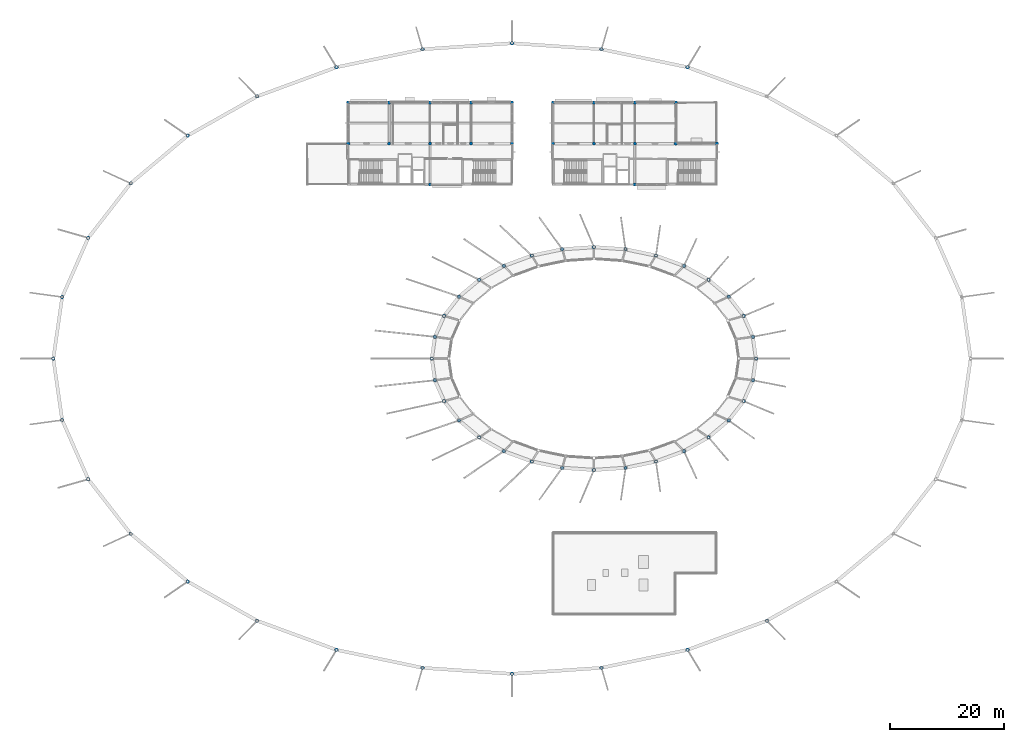
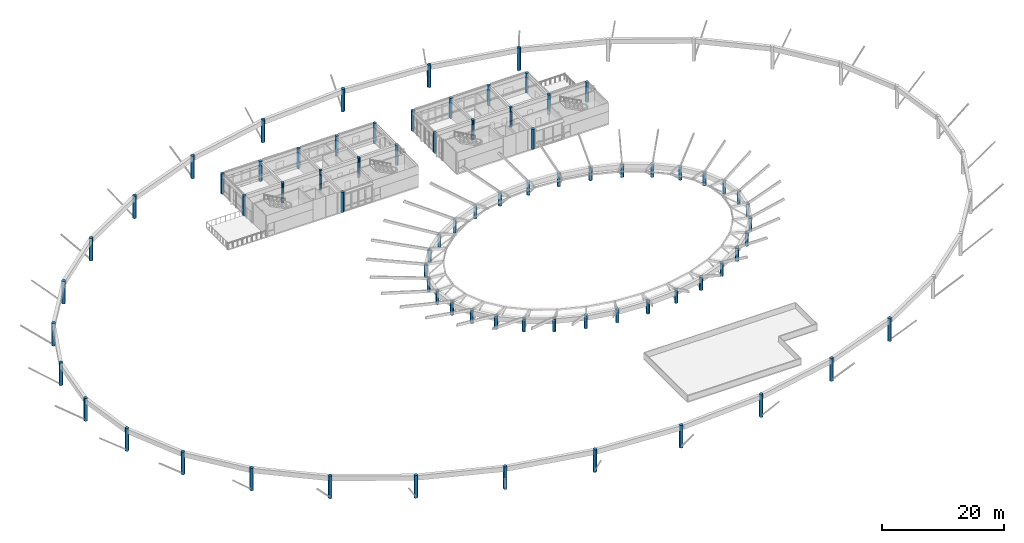
# One storey, part 1 of 37: 75 columns.
"""IFC4 building model written with IfcOpenShell, lengths in metres."""

import ifcopenshell
import ifcopenshell.guid

model = None  # the IFC model being written
_history = None  # IfcOwnerHistory: only IFC2X3 demands one
_inside = {}  # id of a spatial element -> (the spatial element, [elements in it])
_under = {}  # id of a project, library or spatial element -> (it, [spatial elements below it])
_declared = {}  # id of a project -> (the project, [libraries it declares])
_typed = {}  # id of a type object -> (the type object, [elements of that type])
_made_of = {}  # id of a material, layer set ... -> (it, [elements and type objects made of it])


def new_model(schema):
    """Start an empty IFC model of exactly this schema.

    Asked for "IFC4X3", IfcOpenShell would pick the latest addendum, in which some entities
    have other attributes; the version numbers below select the first issue.
    IFC2X3 requires an IfcOwnerHistory on every rooted entity: one is made here for all.
    """
    global model, _history
    if schema == "IFC4X3":
        model = ifcopenshell.file(schema_version=(4, 3, 0, 0))
    else:
        model = ifcopenshell.file(schema=schema)
    _inside.clear()
    _under.clear()
    _declared.clear()
    _typed.clear()
    _made_of.clear()
    _history = None
    if model.schema == "IFC2X3":
        org = make("IfcOrganization", Name="unknown")
        user = make(
            "IfcPersonAndOrganization",
            ThePerson=make("IfcPerson", FamilyName="unknown"),
            TheOrganization=org,
        )
        app = make(
            "IfcApplication",
            ApplicationDeveloper=org,
            Version="unknown",
            ApplicationFullName="unknown",
            ApplicationIdentifier="unknown",
        )
        _history = make(
            "IfcOwnerHistory",
            OwningUser=user,
            OwningApplication=app,
            ChangeAction="ADDED",
            CreationDate=0,
        )
    return model


def make(cls, **values):
    """One entity of the class cls with the attributes given. An attribute that is None is left unset."""
    return model.create_entity(
        cls, **{name: value for name, value in values.items() if value is not None}
    )


def rooted(cls, **values):
    """An entity with a GlobalId (a new one), such as an element, a storey or a relation."""
    return make(cls, GlobalId=ifcopenshell.guid.new(), OwnerHistory=_history, **values)


def si_unit(unit_type, name, prefix=None):
    """IfcSIUnit, for example si_unit("LENGTHUNIT", "METRE", prefix="MILLI")."""
    return make("IfcSIUnit", UnitType=unit_type, Prefix=prefix, Name=name)


def assignment(units):
    """IfcUnitAssignment: the units of a project."""
    return None if units is None else make("IfcUnitAssignment", Units=units)


def point(xyz):
    """IfcCartesianPoint."""
    return None if xyz is None else make("IfcCartesianPoint", Coordinates=xyz)


def direction(xyz):
    """IfcDirection."""
    return None if xyz is None else make("IfcDirection", DirectionRatios=xyz)


def frame(location, z_axis=None, x_axis=None):
    """IfcAxis2Placement3D, a coordinate frame: its origin and axes. An axis left out is left unset."""
    return make(
        "IfcAxis2Placement3D",
        Location=point(location),
        Axis=direction(z_axis),
        RefDirection=direction(x_axis),
    )


def frame_2d(location, x_axis=None):
    """IfcAxis2Placement2D, a coordinate frame in the plane: its origin and x axis."""
    return make(
        "IfcAxis2Placement2D", Location=point(location), RefDirection=direction(x_axis)
    )


def origin():
    """The frame at (0, 0, 0) with its axes left unset."""
    return frame((0.0, 0.0, 0.0))


def origin_2d():
    """The frame at (0, 0) in the plane with its x axis left unset."""
    return frame_2d((0.0, 0.0))


def place(relative_to, where):
    """IfcLocalPlacement: puts the frame where relative to a parent placement (None: the world)."""
    return make(
        "IfcLocalPlacement", PlacementRelTo=relative_to, RelativePlacement=where
    )


def context(
    kind, dimensions, precision=None, world=None, true_north=None, identifier=None
):
    """IfcGeometricRepresentationContext, for example the 3D "Model" context."""
    return make(
        "IfcGeometricRepresentationContext",
        ContextIdentifier=identifier,
        ContextType=kind,
        CoordinateSpaceDimension=dimensions,
        Precision=precision,
        WorldCoordinateSystem=world,
        TrueNorth=true_north,
    )


def subcontext(parent, identifier, kind, view, scale=None):
    """IfcGeometricRepresentationSubContext, for example "Body" below "Model"."""
    return make(
        "IfcGeometricRepresentationSubContext",
        ContextIdentifier=identifier,
        ContextType=kind,
        ParentContext=parent,
        TargetScale=scale,
        TargetView=view,
    )


def project(units=None, contexts=None):
    """IfcProject with its units and contexts."""
    return rooted(
        "IfcProject",
        Name="project",
        RepresentationContexts=contexts,
        UnitsInContext=assignment(units),
    )


def spatial(cls, under=None, at=None, **own):
    """A site, building, storey or space (cls), placed at a placement, below another one or the project."""
    s = rooted(cls, ObjectPlacement=at, **own)
    if under is not None:
        _under.setdefault(under.id(), (under, []))[1].append(s)
    return s


def profile(cls, at=None, kind="AREA", **sizes):
    """A parametric profile (cls). Its sizes go by their IFC names, for example OverallWidth=200.0."""
    return make(cls, ProfileType=kind, Position=at, **sizes)


def circle(**sizes):
    """IfcCircleProfileDef."""
    return profile("IfcCircleProfileDef", **sizes)


def extrude(swept, where, along, depth):
    """IfcExtrudedAreaSolid: the profile swept, set in the frame where, extruded along a direction by depth."""
    return make(
        "IfcExtrudedAreaSolid",
        SweptArea=swept,
        Position=where,
        ExtrudedDirection=direction(along),
        Depth=depth,
    )


def shape(context_of_items, identifier, shape_type, items):
    """IfcShapeRepresentation: the items that make up one representation, for example the "Body"."""
    return make(
        "IfcShapeRepresentation",
        ContextOfItems=context_of_items,
        RepresentationIdentifier=identifier,
        RepresentationType=shape_type,
        Items=items,
    )


def material(Name=None, Category=None):
    """IfcMaterial."""
    return make("IfcMaterial", Name=Name, Category=Category)


def material_profile(
    of_material, cross_section, Name=None, Category=None, Priority=None
):
    """IfcMaterialProfile: a cross section and its material."""
    return make(
        "IfcMaterialProfile",
        Name=Name,
        Material=of_material,
        Profile=cross_section,
        Priority=Priority,
        Category=Category,
    )


def profile_set(profiles, Name=None, composite=None):
    """IfcMaterialProfileSet."""
    return make(
        "IfcMaterialProfileSet",
        Name=Name,
        MaterialProfiles=profiles,
        CompositeProfile=composite,
    )


def made_of(thing, what):
    """Note that an element or type object is made of a material, layer set ...; save() writes the relation."""
    if what is not None:
        _made_of.setdefault(what.id(), (what, []))[1].append(thing)
    return thing


def type_object(cls, material=None, **own):
    """A type object (cls), such as IfcWallType, which elements share."""
    return made_of(rooted(cls, **own), material)


def element(
    cls,
    number,
    at=None,
    inside=None,
    cuts=None,
    type_object=None,
    material=None,
    context=None,
    identifier="Body",
    shape_type=None,
    held_by="IfcProductDefinitionShape",
    body=None,
    shapes=None,
    **own,
):
    """One element of the class cls, such as IfcWall. Its Tag is "e" and its number.

    at: its placement. inside: the storey or other place that contains it. cuts: it is an
    opening in that element (IfcRelVoidsElement). A single representation is given by context,
    identifier, shape_type and body (its items); several are given by shapes. held_by: the class
    of the entity that holds the representations. save() writes the other relations.
    """
    e = rooted(cls, Tag="e%d" % number, ObjectPlacement=at, **own)
    if body is not None:
        shapes = [shape(context, identifier, shape_type, body)]
    if shapes is not None:
        e.Representation = make(held_by, Representations=shapes)
    if inside is not None:
        _inside.setdefault(inside.id(), (inside, []))[1].append(e)
    if cuts is not None:
        rooted(
            "IfcRelVoidsElement", RelatingBuildingElement=cuts, RelatedOpeningElement=e
        )
    if type_object is not None:
        _typed.setdefault(type_object.id(), (type_object, []))[1].append(e)
    return made_of(e, material)


def aggregate(whole, parts):
    """IfcRelAggregates: a whole, such as a stair, and the parts it consists of."""
    return rooted("IfcRelAggregates", RelatingObject=whole, RelatedObjects=parts)


def save(model, path):
    """Write the relations noted so far, then the file.

    IfcRelAggregates (storeys below a building ...), IfcRelContainedInSpatialStructure (elements
    in a storey), IfcRelDefinesByType, IfcRelAssociatesMaterial and IfcRelDeclares: one each for
    every whole, place, type object, material and project.
    """
    for whole, parts in _under.values():
        aggregate(whole, parts)
    for where, things in _inside.values():
        rooted(
            "IfcRelContainedInSpatialStructure",
            RelatedElements=things,
            RelatingStructure=where,
        )
    for kind, things in _typed.values():
        rooted("IfcRelDefinesByType", RelatedObjects=things, RelatingType=kind)
    for what, things in _made_of.values():
        rooted("IfcRelAssociatesMaterial", RelatedObjects=things, RelatingMaterial=what)
    for by, libraries in _declared.values():
        rooted("IfcRelDeclares", RelatingContext=by, RelatedDefinitions=libraries)
    model.write(path)


model = new_model("IFC4")

# Units and contexts
model_context = context("Model", 3, precision=1e-05, world=origin(), true_north=direction((0.0, 1.0)))
body_context = subcontext(model_context, "Body", "Model", "MODEL_VIEW")
ifc_project = project(units=[si_unit("LENGTHUNIT", "METRE"), si_unit("AREAUNIT", "SQUARE_METRE"), si_unit("VOLUMEUNIT", "CUBIC_METRE"), si_unit("PLANEANGLEUNIT", "RADIAN"), si_unit("MASSUNIT", "GRAM", prefix="KILO")], contexts=[model_context])

# Site, building, storey
site_placement = place(None, origin())
site = spatial("IfcSite", under=ifc_project, at=site_placement, CompositionType="ELEMENT")
building_placement = place(site_placement, origin())
building = spatial("IfcBuilding", under=site, at=building_placement, Name="Namkhue Oval Health Centre", CompositionType="ELEMENT")
storey_placement = place(building_placement, frame((0.0, 0.0, 22.199951171875)))
storey = spatial("IfcBuildingStorey", under=building, at=storey_placement, Name="L05", CompositionType="ELEMENT", Elevation=22.199951171875)

# Columns
ifc_material = material(Name="Reinforced concrete C35/45 (TCVN B40)", Category="concrete")
ifc_material_profile_1 = material_profile(ifc_material, circle(Radius=0.27490234375, at=origin_2d()), Name="RC D550")
ifc_profile_set_1 = profile_set([ifc_material_profile_1], Name="Reinforced concrete C35/45 (TCVN B40)")
column_type_1 = type_object("IfcColumnType", Name="RC COLUMN D550 INT", PredefinedType="COLUMN", material=ifc_profile_set_1)
for number, where, z_axis, x_axis, name in (
    (1, (64.800048828125, 97.199951171875, 0.0), (0.0, 0.0, 1.0), (1.0, 0.0, 0.0), "Volume V2 L05 Column 10/O"),
    (2, (72.0, 97.199951171875, 0.0), (0.0, 0.0, 1.0), (1.0, 0.0, 0.0), "Volume V2 L05 Column 11/O"),
    (3, (79.199951171875, 97.199951171875, 0.0), (0.0, 0.0, 1.0), (1.0, 0.0, 0.0), "Volume V2 L05 Column 12/O"),
):
    element("IfcColumn", number, at=place(storey_placement, frame(where, z_axis=z_axis, x_axis=x_axis)), inside=storey, type_object=column_type_1, Name=name, PredefinedType="COLUMN", context=body_context, shape_type="SweptSolid", body=[
        extrude(circle(Radius=0.27490234375, at=origin_2d()), origin(), (0.0, 0.0, 1.0), 3.97509765625),
    ])
for number, where, z_axis, x_axis, name in (
    (4, (100.800048828125, 97.199951171875, 0.0), (0.0, 0.0, 1.0), (1.0, 0.0, 0.0), "Volume V3 L05 Column 15/O"),
    (5, (108.0, 97.199951171875, 0.0), (0.0, 0.0, 1.0), (1.0, 0.0, 0.0), "Volume V3 L05 Column 16/O"),
):
    element("IfcColumn", number, at=place(storey_placement, frame(where, z_axis=z_axis, x_axis=x_axis)), inside=storey, type_object=column_type_1, Name=name, PredefinedType="COLUMN", context=body_context, shape_type="SweptSolid", body=[
        extrude(circle(Radius=0.27490234375, at=origin_2d()), origin(), (0.0, 0.0, 1.0), 3.969970703125),
    ])
ifc_material_profile_2 = material_profile(ifc_material, circle(Radius=0.300048828125, at=origin_2d()), Name="RC D600")
ifc_profile_set_2 = profile_set([ifc_material_profile_2], Name="Reinforced concrete C35/45 (TCVN B40)")
column_type_2 = type_object("IfcColumnType", Name="RC COLUMN D600 EXT", PredefinedType="COLUMN", material=ifc_profile_set_2)
for number, where, z_axis, x_axis, name in (
    (6, (57.60009765625, 97.199951171875, 0.0), (0.0, 0.0, 1.0), (1.0, 0.0, 0.0), "Volume V2 L05 Column 9/O"),
    (7, (57.60009765625, 104.39990234375, 0.0), (0.0, 0.0, 1.0), (1.0, 0.0, 0.0), "Volume V2 L05 Column 9/P"),
    (8, (64.800048828125, 104.39990234375, 0.0), (0.0, 0.0, 1.0), (1.0, 0.0, 0.0), "Volume V2 L05 Column 10/P"),
    (9, (72.0, 90.0, 0.0), (0.0, 0.0, 1.0), (1.0, 0.0, 0.0), "Volume V2 L05 Column 11/N"),
    (10, (72.0, 104.39990234375, 0.0), (0.0, 0.0, 1.0), (1.0, 0.0, 0.0), "Volume V2 L05 Column 11/P"),
    (11, (79.199951171875, 104.39990234375, 0.0), (0.0, 0.0, 1.0), (1.0, 0.0, 0.0), "Volume V2 L05 Column 12/P"),
    (12, (86.39990234375, 97.199951171875, 0.0), (0.0, 0.0, 1.0), (1.0, 0.0, 0.0), "Volume V2 L05 Column 13/O"),
    (13, (86.39990234375, 104.39990234375, 0.0), (0.0, 0.0, 1.0), (1.0, 0.0, 0.0), "Volume V2 L05 Column 13/P"),
):
    element("IfcColumn", number, at=place(storey_placement, frame(where, z_axis=z_axis, x_axis=x_axis)), inside=storey, type_object=column_type_2, Name=name, PredefinedType="COLUMN", context=body_context, shape_type="SweptSolid", body=[
        extrude(circle(Radius=0.300048828125, at=origin_2d()), origin(), (0.0, 0.0, 1.0), 3.97509765625),
    ])
for number, where, z_axis, x_axis, name in (
    (14, (93.60009765625, 97.199951171875, 0.0), (0.0, 0.0, 1.0), (1.0, 0.0, 0.0), "Volume V3 L05 Column 14/O"),
    (15, (93.60009765625, 104.39990234375, 0.0), (0.0, 0.0, 1.0), (1.0, 0.0, 0.0), "Volume V3 L05 Column 14/P"),
    (16, (100.800048828125, 104.39990234375, 0.0), (0.0, 0.0, 1.0), (1.0, 0.0, 0.0), "Volume V3 L05 Column 15/P"),
    (17, (108.0, 90.0, 0.0), (0.0, 0.0, 1.0), (1.0, 0.0, 0.0), "Volume V3 L05 Column 16/N"),
    (18, (108.0, 104.39990234375, 0.0), (0.0, 0.0, 1.0), (1.0, 0.0, 0.0), "Volume V3 L05 Column 16/P"),
    (19, (115.199951171875, 97.199951171875, 0.0), (0.0, 0.0, 1.0), (1.0, 0.0, 0.0), "Volume V3 L05 Column 17/O"),
    (20, (115.199951171875, 104.39990234375, 0.0), (0.0, 0.0, 1.0), (1.0, 0.0, 0.0), "Volume V3 L05 Column 17/P"),
    (21, (122.39990234375, 97.199951171875, 0.0), (0.0, 0.0, 1.0), (1.0, 0.0, 0.0), "Volume V3 L05 Column 18/O"),
):
    element("IfcColumn", number, at=place(storey_placement, frame(where, z_axis=z_axis, x_axis=x_axis)), inside=storey, type_object=column_type_2, Name=name, PredefinedType="COLUMN", context=body_context, shape_type="SweptSolid", body=[
        extrude(circle(Radius=0.300048828125, at=origin_2d()), origin(), (0.0, 0.0, 1.0), 3.969970703125),
    ])
for number, where, z_axis, x_axis, name in (
    (22, (129.31201171875, 59.39990234375, 0.0), (0.0, 0.0, 1.0), (1.0, 0.0, 0.0), "Gridshell IR Colonnade Column 1 L05"),
    (23, (128.76416015625, 63.22412109375, 0.0), (0.0, 0.0, 1.0), (1.0, 0.0, 0.0), "Gridshell IR Colonnade Column 2 L05"),
    (24, (127.1416015625, 66.9013671875, 0.0), (0.0, 0.0, 1.0), (1.0, 0.0, 0.0), "Gridshell IR Colonnade Column 3 L05"),
    (25, (124.5068359375, 70.290283203125, 0.0), (0.0, 0.0, 1.0), (1.0, 0.0, 0.0), "Gridshell IR Colonnade Column 4 L05"),
    (26, (120.9609375, 73.2607421875, 0.0), (0.0, 0.0, 1.0), (1.0, 0.0, 0.0), "Gridshell IR Colonnade Column 5 L05"),
    (27, (116.640380859375, 75.698486328125, 0.0), (0.0, 0.0, 1.0), (1.0, 0.0, 0.0), "Gridshell IR Colonnade Column 6 L05"),
    (28, (111.711181640625, 77.509765625, 0.0), (0.0, 0.0, 1.0), (1.0, 0.0, 0.0), "Gridshell IR Colonnade Column 7 L05"),
    (29, (106.3623046875, 78.625244140625, 0.0), (0.0, 0.0, 1.0), (1.0, 0.0, 0.0), "Gridshell IR Colonnade Column 8 L05"),
    (30, (100.800048828125, 79.001953125, 0.0), (0.0, 0.0, 1.0), (1.0, 0.0, 0.0), "Gridshell IR Colonnade Column 9 L05"),
    (31, (95.237548828125, 78.625244140625, 0.0), (0.0, 0.0, 1.0), (1.0, 0.0, 0.0), "Gridshell IR Colonnade Column 10 L05"),
    (32, (89.888916015625, 77.509765625, 0.0), (0.0, 0.0, 1.0), (1.0, 0.0, 0.0), "Gridshell IR Colonnade Column 11 L05"),
    (33, (84.95947265625, 75.698486328125, 0.0), (0.0, 0.0, 1.0), (1.0, 0.0, 0.0), "Gridshell IR Colonnade Column 12 L05"),
    (34, (80.638916015625, 73.2607421875, 0.0), (0.0, 0.0, 1.0), (1.0, 0.0, 0.0), "Gridshell IR Colonnade Column 13 L05"),
    (35, (77.093017578125, 70.290283203125, 0.0), (0.0, 0.0, 1.0), (1.0, 0.0, 0.0), "Gridshell IR Colonnade Column 14 L05"),
    (36, (74.458251953125, 66.9013671875, 0.0), (0.0, 0.0, 1.0), (1.0, 0.0, 0.0), "Gridshell IR Colonnade Column 15 L05"),
    (37, (72.8359375, 63.22412109375, 0.0), (0.0, 0.0, 1.0), (1.0, 0.0, 0.0), "Gridshell IR Colonnade Column 16 L05"),
    (38, (72.2880859375, 59.39990234375, 0.0), (0.0, 0.0, 1.0), (1.0, 0.0, 0.0), "Gridshell IR Colonnade Column 17 L05"),
    (39, (72.8359375, 55.575927734375, 0.0), (0.0, 0.0, 1.0), (1.0, 0.0, 0.0), "Gridshell IR Colonnade Column 18 L05"),
    (40, (74.458251953125, 51.898681640625, 0.0), (0.0, 0.0, 1.0), (1.0, 0.0, 0.0), "Gridshell IR Colonnade Column 19 L05"),
    (41, (77.093017578125, 48.509765625, 0.0), (0.0, 0.0, 1.0), (1.0, 0.0, 0.0), "Gridshell IR Colonnade Column 20 L05"),
    (42, (80.638916015625, 45.539306640625, 0.0), (0.0, 0.0, 1.0), (1.0, 0.0, 0.0), "Gridshell IR Colonnade Column 21 L05"),
    (43, (84.95947265625, 43.1015625, 0.0), (0.0, 0.0, 1.0), (1.0, 0.0, 0.0), "Gridshell IR Colonnade Column 22 L05"),
    (44, (89.888916015625, 41.2900390625, 0.0), (0.0, 0.0, 1.0), (1.0, 0.0, 0.0), "Gridshell IR Colonnade Column 23 L05"),
    (45, (95.237548828125, 40.174560546875, 0.0), (0.0, 0.0, 1.0), (1.0, 0.0, 0.0), "Gridshell IR Colonnade Column 24 L05"),
    (46, (100.800048828125, 39.798095703125, 0.0), (0.0, 0.0, 1.0), (1.0, 0.0, 0.0), "Gridshell IR Colonnade Column 25 L05"),
    (47, (106.3623046875, 40.174560546875, 0.0), (0.0, 0.0, 1.0), (1.0, 0.0, 0.0), "Gridshell IR Colonnade Column 26 L05"),
    (48, (111.711181640625, 41.2900390625, 0.0), (0.0, 0.0, 1.0), (1.0, 0.0, 0.0), "Gridshell IR Colonnade Column 27 L05"),
    (49, (116.640380859375, 43.1015625, 0.0), (0.0, 0.0, 1.0), (1.0, 0.0, 0.0), "Gridshell IR Colonnade Column 28 L05"),
    (50, (120.9609375, 45.539306640625, 0.0), (0.0, 0.0, 1.0), (1.0, 0.0, 0.0), "Gridshell IR Colonnade Column 29 L05"),
    (51, (124.5068359375, 48.509765625, 0.0), (0.0, 0.0, 1.0), (1.0, 0.0, 0.0), "Gridshell IR Colonnade Column 30 L05"),
    (52, (127.1416015625, 51.898681640625, 0.0), (0.0, 0.0, 1.0), (1.0, 0.0, 0.0), "Gridshell IR Colonnade Column 31 L05"),
    (53, (128.76416015625, 55.575927734375, 0.0), (0.0, 0.0, 1.0), (1.0, 0.0, 0.0), "Gridshell IR Colonnade Column 32 L05"),
):
    element("IfcColumn", number, at=place(storey_placement, frame(where, z_axis=z_axis, x_axis=x_axis)), inside=storey, type_object=column_type_2, Name=name, PredefinedType="COLUMN", context=body_context, shape_type="SweptSolid", body=[
        extrude(circle(Radius=0.300048828125, at=origin_2d()), origin(), (0.0, 0.0, 1.0), 2.6201171875),
    ])
ifc_material_profile_3 = material_profile(ifc_material, circle(Radius=0.324951171875, at=origin_2d()), Name="RC D650")
ifc_profile_set_3 = profile_set([ifc_material_profile_3], Name="Reinforced concrete C35/45 (TCVN B40)")
column_type_3 = type_object("IfcColumnType", Name="RC COLUMN D650 EXT", PredefinedType="COLUMN", material=ifc_profile_set_3)
for number, where, z_axis, x_axis, name in (
    (54, (117.259521484375, 110.619873046875, 0.0), (0.0, 0.0, 1.0), (1.0, 0.0, 0.0), "Gridshell OR Colonnade Column 7 L05"),
    (55, (102.132080078125, 113.774658203125, 0.0), (0.0, 0.0, 1.0), (1.0, 0.0, 0.0), "Gridshell OR Colonnade Column 8 L05"),
    (56, (86.39990234375, 114.840087890625, 0.0), (0.0, 0.0, 1.0), (1.0, 0.0, 0.0), "Gridshell OR Colonnade Column 9 L05"),
    (57, (70.66796875, 113.774658203125, 0.0), (0.0, 0.0, 1.0), (1.0, 0.0, 0.0), "Gridshell OR Colonnade Column 10 L05"),
    (58, (55.54052734375, 110.619873046875, 0.0), (0.0, 0.0, 1.0), (1.0, 0.0, 0.0), "Gridshell OR Colonnade Column 11 L05"),
    (59, (41.598876953125, 105.49658203125, 0.0), (0.0, 0.0, 1.0), (1.0, 0.0, 0.0), "Gridshell OR Colonnade Column 12 L05"),
    (60, (29.37890625, 98.60205078125, 0.0), (0.0, 0.0, 1.0), (1.0, 0.0, 0.0), "Gridshell OR Colonnade Column 13 L05"),
    (61, (19.350341796875, 90.200927734375, 0.0), (0.0, 0.0, 1.0), (1.0, 0.0, 0.0), "Gridshell OR Colonnade Column 14 L05"),
    (62, (11.8984375, 80.615966796875, 0.0), (0.0, 0.0, 1.0), (1.0, 0.0, 0.0), "Gridshell OR Colonnade Column 15 L05"),
    (63, (7.3095703125, 70.2158203125, 0.0), (0.0, 0.0, 1.0), (1.0, 0.0, 0.0), "Gridshell OR Colonnade Column 16 L05"),
    (64, (5.760009765625, 59.39990234375, 0.0), (0.0, 0.0, 1.0), (1.0, 0.0, 0.0), "Gridshell OR Colonnade Column 17 L05"),
    (65, (7.3095703125, 48.584228515625, 0.0), (0.0, 0.0, 1.0), (1.0, 0.0, 0.0), "Gridshell OR Colonnade Column 18 L05"),
    (66, (11.8984375, 38.18408203125, 0.0), (0.0, 0.0, 1.0), (1.0, 0.0, 0.0), "Gridshell OR Colonnade Column 19 L05"),
    (67, (19.350341796875, 28.59912109375, 0.0), (0.0, 0.0, 1.0), (1.0, 0.0, 0.0), "Gridshell OR Colonnade Column 20 L05"),
    (68, (29.37890625, 20.197998046875, 0.0), (0.0, 0.0, 1.0), (1.0, 0.0, 0.0), "Gridshell OR Colonnade Column 21 L05"),
    (69, (41.598876953125, 13.30322265625, 0.0), (0.0, 0.0, 1.0), (1.0, 0.0, 0.0), "Gridshell OR Colonnade Column 22 L05"),
    (70, (55.54052734375, 8.18017578125, 0.0), (0.0, 0.0, 1.0), (1.0, 0.0, 0.0), "Gridshell OR Colonnade Column 23 L05"),
    (71, (70.66796875, 5.025146484375, 0.0), (0.0, 0.0, 1.0), (1.0, 0.0, 0.0), "Gridshell OR Colonnade Column 24 L05"),
    (72, (86.39990234375, 3.9599609375, 0.0), (0.0, 0.0, 1.0), (1.0, 0.0, 0.0), "Gridshell OR Colonnade Column 25 L05"),
    (73, (102.132080078125, 5.025146484375, 0.0), (0.0, 0.0, 1.0), (1.0, 0.0, 0.0), "Gridshell OR Colonnade Column 26 L05"),
    (74, (117.259521484375, 8.18017578125, 0.0), (0.0, 0.0, 1.0), (1.0, 0.0, 0.0), "Gridshell OR Colonnade Column 27 L05"),
    (75, (131.201171875, 13.30322265625, 0.0), (0.0, 0.0, 1.0), (1.0, 0.0, 0.0), "Gridshell OR Colonnade Column 28 L05"),
):
    element("IfcColumn", number, at=place(storey_placement, frame(where, z_axis=z_axis, x_axis=x_axis)), inside=storey, type_object=column_type_3, Name=name, PredefinedType="COLUMN", context=body_context, shape_type="SweptSolid", body=[
        extrude(circle(Radius=0.324951171875, at=origin_2d()), origin(), (0.0, 0.0, 1.0), 4.52001953125),
    ])

save(model, "model.ifc")
